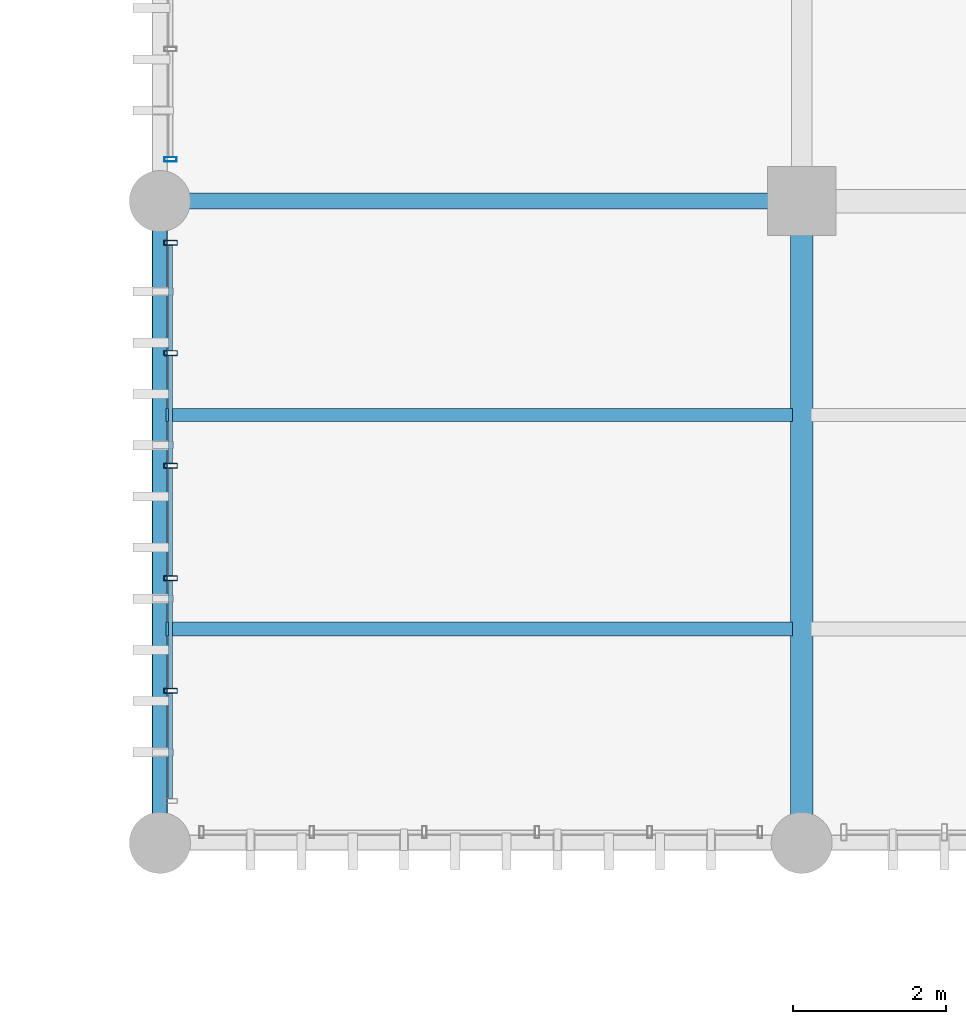
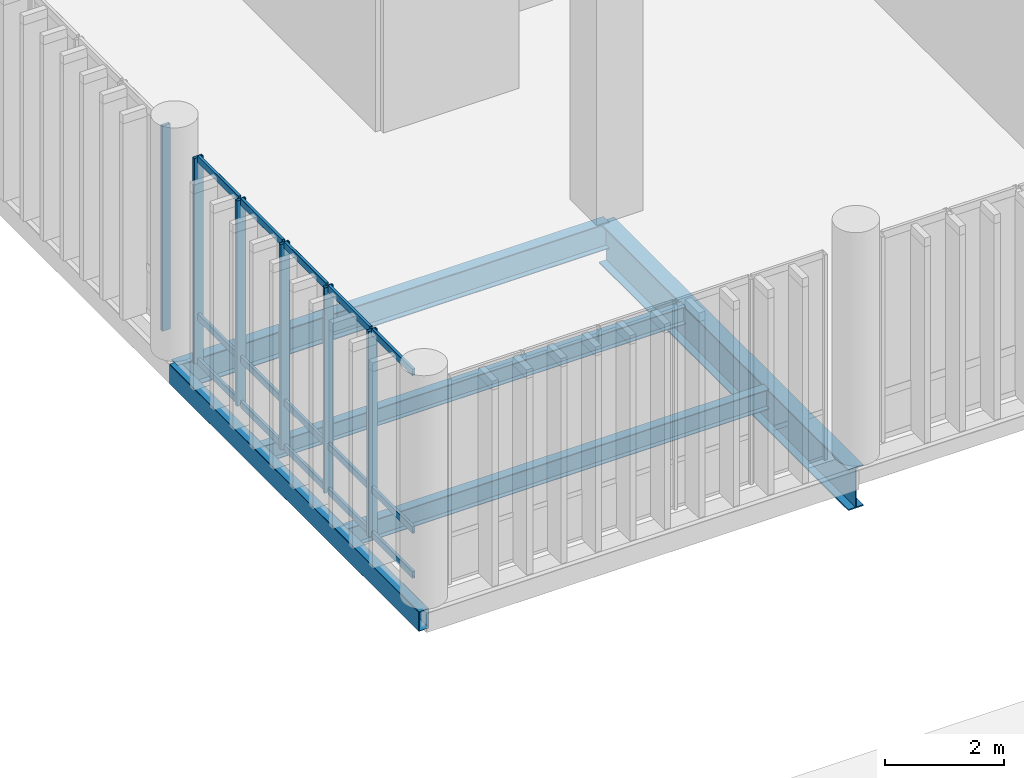
# One storey, part 69 of 109: 21 members, 5 beams, 2 elements without a shape of their own.
"""IFC4 building model written with IfcOpenShell, lengths in metres."""

import ifcopenshell
import ifcopenshell.guid

model = None  # the IFC model being written
_history = None  # IfcOwnerHistory: only IFC2X3 demands one
_inside = {}  # id of a spatial element -> (the spatial element, [elements in it])
_under = {}  # id of a project, library or spatial element -> (it, [spatial elements below it])
_declared = {}  # id of a project -> (the project, [libraries it declares])
_typed = {}  # id of a type object -> (the type object, [elements of that type])
_made_of = {}  # id of a material, layer set ... -> (it, [elements and type objects made of it])


def new_model(schema):
    """Start an empty IFC model of exactly this schema.

    Asked for "IFC4X3", IfcOpenShell would pick the latest addendum, in which some entities
    have other attributes; the version numbers below select the first issue.
    IFC2X3 requires an IfcOwnerHistory on every rooted entity: one is made here for all.
    """
    global model, _history
    if schema == "IFC4X3":
        model = ifcopenshell.file(schema_version=(4, 3, 0, 0))
    else:
        model = ifcopenshell.file(schema=schema)
    _inside.clear()
    _under.clear()
    _declared.clear()
    _typed.clear()
    _made_of.clear()
    _history = None
    if model.schema == "IFC2X3":
        org = make("IfcOrganization", Name="unknown")
        user = make(
            "IfcPersonAndOrganization",
            ThePerson=make("IfcPerson", FamilyName="unknown"),
            TheOrganization=org,
        )
        app = make(
            "IfcApplication",
            ApplicationDeveloper=org,
            Version="unknown",
            ApplicationFullName="unknown",
            ApplicationIdentifier="unknown",
        )
        _history = make(
            "IfcOwnerHistory",
            OwningUser=user,
            OwningApplication=app,
            ChangeAction="ADDED",
            CreationDate=0,
        )
    return model


def make(cls, **values):
    """One entity of the class cls with the attributes given. An attribute that is None is left unset."""
    return model.create_entity(
        cls, **{name: value for name, value in values.items() if value is not None}
    )


def rooted(cls, **values):
    """An entity with a GlobalId (a new one), such as an element, a storey or a relation."""
    return make(cls, GlobalId=ifcopenshell.guid.new(), OwnerHistory=_history, **values)


def si_unit(unit_type, name, prefix=None):
    """IfcSIUnit, for example si_unit("LENGTHUNIT", "METRE", prefix="MILLI")."""
    return make("IfcSIUnit", UnitType=unit_type, Prefix=prefix, Name=name)


def assignment(units):
    """IfcUnitAssignment: the units of a project."""
    return None if units is None else make("IfcUnitAssignment", Units=units)


def point(xyz):
    """IfcCartesianPoint."""
    return None if xyz is None else make("IfcCartesianPoint", Coordinates=xyz)


def direction(xyz):
    """IfcDirection."""
    return None if xyz is None else make("IfcDirection", DirectionRatios=xyz)


def frame(location, z_axis=None, x_axis=None):
    """IfcAxis2Placement3D, a coordinate frame: its origin and axes. An axis left out is left unset."""
    return make(
        "IfcAxis2Placement3D",
        Location=point(location),
        Axis=direction(z_axis),
        RefDirection=direction(x_axis),
    )


def frame_2d(location, x_axis=None):
    """IfcAxis2Placement2D, a coordinate frame in the plane: its origin and x axis."""
    return make(
        "IfcAxis2Placement2D", Location=point(location), RefDirection=direction(x_axis)
    )


def origin_with_axes():
    """The frame at (0, 0, 0) with the z axis (0, 0, 1) and the x axis (1, 0, 0) written out."""
    return frame((0.0, 0.0, 0.0), z_axis=(0.0, 0.0, 1.0), x_axis=(1.0, 0.0, 0.0))


def origin_2d_with_axis():
    """The frame at (0, 0) in the plane with the x axis (1, 0) written out."""
    return frame_2d((0.0, 0.0), x_axis=(1.0, 0.0))


def place(relative_to, where):
    """IfcLocalPlacement: puts the frame where relative to a parent placement (None: the world)."""
    return make(
        "IfcLocalPlacement", PlacementRelTo=relative_to, RelativePlacement=where
    )


def context(
    kind, dimensions, precision=None, world=None, true_north=None, identifier=None
):
    """IfcGeometricRepresentationContext, for example the 3D "Model" context."""
    return make(
        "IfcGeometricRepresentationContext",
        ContextIdentifier=identifier,
        ContextType=kind,
        CoordinateSpaceDimension=dimensions,
        Precision=precision,
        WorldCoordinateSystem=world,
        TrueNorth=true_north,
    )


def subcontext(parent, identifier, kind, view, scale=None):
    """IfcGeometricRepresentationSubContext, for example "Body" below "Model"."""
    return make(
        "IfcGeometricRepresentationSubContext",
        ContextIdentifier=identifier,
        ContextType=kind,
        ParentContext=parent,
        TargetScale=scale,
        TargetView=view,
    )


def project(units=None, contexts=None):
    """IfcProject with its units and contexts."""
    return rooted(
        "IfcProject",
        Name="project",
        RepresentationContexts=contexts,
        UnitsInContext=assignment(units),
    )


def spatial(cls, under=None, at=None, **own):
    """A site, building, storey or space (cls), placed at a placement, below another one or the project."""
    s = rooted(cls, ObjectPlacement=at, **own)
    if under is not None:
        _under.setdefault(under.id(), (under, []))[1].append(s)
    return s


def profile(cls, at=None, kind="AREA", **sizes):
    """A parametric profile (cls). Its sizes go by their IFC names, for example OverallWidth=200.0."""
    return make(cls, ProfileType=kind, Position=at, **sizes)


def hollow_rectangle(**sizes):
    """IfcRectangleHollowProfileDef."""
    return profile("IfcRectangleHollowProfileDef", **sizes)


def i_section(**sizes):
    """IfcIShapeProfileDef."""
    return profile("IfcIShapeProfileDef", **sizes)


def extrude(swept, where, along, depth):
    """IfcExtrudedAreaSolid: the profile swept, set in the frame where, extruded along a direction by depth."""
    return make(
        "IfcExtrudedAreaSolid",
        SweptArea=swept,
        Position=where,
        ExtrudedDirection=direction(along),
        Depth=depth,
    )


def shape(context_of_items, identifier, shape_type, items):
    """IfcShapeRepresentation: the items that make up one representation, for example the "Body"."""
    return make(
        "IfcShapeRepresentation",
        ContextOfItems=context_of_items,
        RepresentationIdentifier=identifier,
        RepresentationType=shape_type,
        Items=items,
    )


def material(Name=None, Category=None):
    """IfcMaterial."""
    return make("IfcMaterial", Name=Name, Category=Category)


def material_profile(
    of_material, cross_section, Name=None, Category=None, Priority=None
):
    """IfcMaterialProfile: a cross section and its material."""
    return make(
        "IfcMaterialProfile",
        Name=Name,
        Material=of_material,
        Profile=cross_section,
        Priority=Priority,
        Category=Category,
    )


def profile_set(profiles, Name=None, composite=None):
    """IfcMaterialProfileSet."""
    return make(
        "IfcMaterialProfileSet",
        Name=Name,
        MaterialProfiles=profiles,
        CompositeProfile=composite,
    )


def made_of(thing, what):
    """Note that an element or type object is made of a material, layer set ...; save() writes the relation."""
    if what is not None:
        _made_of.setdefault(what.id(), (what, []))[1].append(thing)
    return thing


def type_object(cls, material=None, **own):
    """A type object (cls), such as IfcWallType, which elements share."""
    return made_of(rooted(cls, **own), material)


def element(
    cls,
    number,
    at=None,
    inside=None,
    cuts=None,
    type_object=None,
    material=None,
    context=None,
    identifier="Body",
    shape_type=None,
    held_by="IfcProductDefinitionShape",
    body=None,
    shapes=None,
    **own,
):
    """One element of the class cls, such as IfcWall. Its Tag is "e" and its number.

    at: its placement. inside: the storey or other place that contains it. cuts: it is an
    opening in that element (IfcRelVoidsElement). A single representation is given by context,
    identifier, shape_type and body (its items); several are given by shapes. held_by: the class
    of the entity that holds the representations. save() writes the other relations.
    """
    e = rooted(cls, Tag="e%d" % number, ObjectPlacement=at, **own)
    if body is not None:
        shapes = [shape(context, identifier, shape_type, body)]
    if shapes is not None:
        e.Representation = make(held_by, Representations=shapes)
    if inside is not None:
        _inside.setdefault(inside.id(), (inside, []))[1].append(e)
    if cuts is not None:
        rooted(
            "IfcRelVoidsElement", RelatingBuildingElement=cuts, RelatedOpeningElement=e
        )
    if type_object is not None:
        _typed.setdefault(type_object.id(), (type_object, []))[1].append(e)
    return made_of(e, material)


def aggregate(whole, parts):
    """IfcRelAggregates: a whole, such as a stair, and the parts it consists of."""
    return rooted("IfcRelAggregates", RelatingObject=whole, RelatedObjects=parts)


def save(model, path):
    """Write the relations noted so far, then the file.

    IfcRelAggregates (storeys below a building ...), IfcRelContainedInSpatialStructure (elements
    in a storey), IfcRelDefinesByType, IfcRelAssociatesMaterial and IfcRelDeclares: one each for
    every whole, place, type object, material and project.
    """
    for whole, parts in _under.values():
        aggregate(whole, parts)
    for where, things in _inside.values():
        rooted(
            "IfcRelContainedInSpatialStructure",
            RelatedElements=things,
            RelatingStructure=where,
        )
    for kind, things in _typed.values():
        rooted("IfcRelDefinesByType", RelatedObjects=things, RelatingType=kind)
    for what, things in _made_of.values():
        rooted("IfcRelAssociatesMaterial", RelatedObjects=things, RelatingMaterial=what)
    for by, libraries in _declared.values():
        rooted("IfcRelDeclares", RelatingContext=by, RelatedDefinitions=libraries)
    model.write(path)


model = new_model("IFC4")

# Units and contexts
model_context = context("Model", 3, precision=1e-05, world=origin_with_axes(), true_north=direction((0.0, 1.0)))
body_context = subcontext(model_context, "Body", "Model", "MODEL_VIEW")
ifc_project = project(units=[si_unit("LENGTHUNIT", "METRE"), si_unit("AREAUNIT", "SQUARE_METRE"), si_unit("VOLUMEUNIT", "CUBIC_METRE"), si_unit("PLANEANGLEUNIT", "RADIAN"), si_unit("MASSUNIT", "GRAM", prefix="KILO"), si_unit("THERMODYNAMICTEMPERATUREUNIT", "KELVIN")], contexts=[model_context])

# Site, building, storey
site_placement = place(None, origin_with_axes())
site = spatial("IfcSite", under=ifc_project, at=site_placement, CompositionType="ELEMENT")
building_placement = place(site_placement, origin_with_axes())
building = spatial("IfcBuilding", under=site, at=building_placement, Name="Montbau Bow Law Courts", CompositionType="ELEMENT")
storey_placement = place(building_placement, frame((0.0, 0.0, 10.8), z_axis=(0.0, 0.0, 1.0), x_axis=(1.0, 0.0, 0.0)))
storey = spatial("IfcBuildingStorey", under=building, at=storey_placement, Name="L02", CompositionType="ELEMENT", Elevation=10.8)

# Beams
ifc_material_1 = material(Name="Steel CSA G40.21 Grade 350W (350 MPa)", Category="steel")
ifc_material_profile_1 = material_profile(ifc_material_1, i_section(OverallWidth=0.293, OverallDepth=0.846, WebThickness=0.0154, FlangeThickness=0.0244, at=origin_2d_with_axis()), Name="W840X210", Category="Main", Priority=0)
ifc_profile_set_1 = profile_set([ifc_material_profile_1], Name="Steel CSA G40.21 Grade 350W (350 MPa)")
beam_type_1 = type_object("IfcBeamType", Name="B-FLR-02", PredefinedType="BEAM", material=ifc_profile_set_1)
beam_1_placement = place(None, frame((147.0, 69.6, 10.077), z_axis=(0.0, 1.0, 0.0), x_axis=(-1.0, 0.0, 0.0)))
element("IfcBeam", 1, at=beam_1_placement, inside=storey, type_object=beam_type_1, Name="BM-L02-S1189:bm2_1192", PredefinedType="BEAM", context=body_context, shape_type="SweptSolid", body=[
    extrude(i_section(OverallWidth=0.293, OverallDepth=0.846, WebThickness=0.0154, FlangeThickness=0.0244, at=origin_2d_with_axis()), origin_with_axes(), (0.0, 0.0, 1.0), 8.4),
])
ifc_material_profile_2 = material_profile(ifc_material_1, i_section(OverallWidth=0.21, OverallDepth=0.537, WebThickness=0.0109, FlangeThickness=0.0174, at=origin_2d_with_axis()), Name="W530X101", Category="Main", Priority=0)
ifc_profile_set_2 = profile_set([ifc_material_profile_2], Name="Steel CSA G40.21 Grade 350W (350 MPa)")
beam_type_2 = type_object("IfcBeamType", Name="B-FLR-06", PredefinedType="BEAM", material=ifc_profile_set_2)
beam_2_placement = place(None, frame((138.6, 78.0, 10.232), z_axis=(1.0, 0.0, 0.0), x_axis=(0.0, 1.0, 0.0)))
element("IfcBeam", 2, at=beam_2_placement, inside=storey, type_object=beam_type_2, Name="BM-L02-S1169:bm2_1172", PredefinedType="BEAM", context=body_context, shape_type="SweptSolid", body=[
    extrude(i_section(OverallWidth=0.21, OverallDepth=0.537, WebThickness=0.0109, FlangeThickness=0.0174, at=origin_2d_with_axis()), origin_with_axes(), (0.0, 0.0, 1.0), 8.4),
])
ifc_material_profile_3 = material_profile(ifc_material_1, i_section(OverallWidth=0.179, OverallDepth=0.41, WebThickness=0.0088, FlangeThickness=0.0144, at=origin_2d_with_axis()), Name="W410X67", Category="Main", Priority=0)
ifc_profile_set_3 = profile_set([ifc_material_profile_3], Name="Steel CSA G40.21 Grade 350W (350 MPa)")
beam_type_3 = type_object("IfcBeamType", Name="B-JST-02", PredefinedType="JOIST", material=ifc_profile_set_3)
beam_3_placement = place(None, frame((138.68, 72.4, 10.295), z_axis=(1.0, 0.0, 0.0), x_axis=(0.0, 1.0, 0.0)))
element("IfcBeam", 3, at=beam_3_placement, inside=storey, type_object=beam_type_3, Name="JST-L02-S0609:jst2_0609", PredefinedType="JOIST", context=body_context, shape_type="SweptSolid", body=[
    extrude(i_section(OverallWidth=0.179, OverallDepth=0.41, WebThickness=0.0088, FlangeThickness=0.0144, at=origin_2d_with_axis()), origin_with_axes(), (0.0, 0.0, 1.0), 8.197),
])
ifc_material_profile_4 = material_profile(ifc_material_1, i_section(OverallWidth=0.172, OverallDepth=0.358, WebThickness=0.0079, FlangeThickness=0.0131, at=origin_2d_with_axis()), Name="W360X57", Category="Main", Priority=0)
ifc_profile_set_4 = profile_set([ifc_material_profile_4], Name="Steel CSA G40.21 Grade 350W (350 MPa)")
beam_type_4 = type_object("IfcBeamType", Name="B-JST-03", PredefinedType="JOIST", material=ifc_profile_set_4)
beam_4_placement = place(None, frame((138.68, 75.2, 10.321), z_axis=(1.0, 0.0, 0.0), x_axis=(0.0, 1.0, 0.0)))
element("IfcBeam", 4, at=beam_4_placement, inside=storey, type_object=beam_type_4, Name="JST-L02-S0610:jst2_0610", PredefinedType="JOIST", context=body_context, shape_type="SweptSolid", body=[
    extrude(i_section(OverallWidth=0.172, OverallDepth=0.358, WebThickness=0.0079, FlangeThickness=0.0131, at=origin_2d_with_axis()), origin_with_axes(), (0.0, 0.0, 1.0), 8.197),
])
ifc_material_2 = material(Name="Steel CSA G40.21 Grade 350WT (350 MPa)", Category="steel")
ifc_material_profile_5 = material_profile(ifc_material_2, hollow_rectangle(XDim=0.203, YDim=0.406, WallThickness=0.0127, InnerFilletRadius=0.0254, OuterFilletRadius=0.0127, at=origin_2d_with_axis()), Name="HSS406X203X13", Category="Main", Priority=0)
ifc_profile_set_5 = profile_set([ifc_material_profile_5], Name="Steel CSA G40.21 Grade 350WT (350 MPa)")
beam_type_5 = type_object("IfcBeamType", Name="B-SPN-01", PredefinedType="SPANDREL", material=ifc_profile_set_5)
beam_5_placement = place(None, frame((138.6, 69.6, 10.297), z_axis=(0.0, 1.0, 0.0), x_axis=(-1.0, 0.0, 0.0)))
element("IfcBeam", 5, at=beam_5_placement, inside=storey, type_object=beam_type_5, Name="SPN-L02-S1185:bm2_1188", PredefinedType="SPANDREL", context=body_context, shape_type="SweptSolid", body=[
    extrude(hollow_rectangle(XDim=0.203, YDim=0.406, WallThickness=0.0127, InnerFilletRadius=0.0254, OuterFilletRadius=0.0127, at=origin_2d_with_axis()), origin_with_axes(), (0.0, 0.0, 1.0), 8.4),
])

# Curtain wall, members
ifc_material_3 = material(Name="Thermally Broken Extruded Aluminium AA 6063-T6", Category="aluminium")
curtain_wall_type = type_object("IfcCurtainWallType", Name="CW-SLT-01", PredefinedType="NOTDEFINED", material=ifc_material_3)
curtain_wall_1_placement = place(None, frame((138.74, 70.115, 10.8), z_axis=(0.0, 0.0, 1.0), x_axis=(1.0, 0.0, 0.0)))
curtain_wall_1 = element("IfcCurtainWall", 6, at=curtain_wall_1_placement, inside=storey, type_object=curtain_wall_type, Name="CW-L02-301:cw_0301", PredefinedType="NOTDEFINED")
ifc_material_profile_6 = material_profile(ifc_material_3, hollow_rectangle(XDim=0.065, YDim=0.18, WallThickness=0.005, InnerFilletRadius=0.01, OuterFilletRadius=0.005, at=origin_2d_with_axis()), Name="CWM-180X65", Category="Main", Priority=0)
ifc_profile_set_6 = profile_set([ifc_material_profile_6], Name="Thermally Broken Extruded Aluminium AA 6063-T6")
member_type_1 = type_object("IfcMemberType", Name="M-MUL-02", PredefinedType="MULLION", material=ifc_profile_set_6)
member_1_placement = place(None, frame((138.74, 71.589, 10.8), z_axis=(0.0, 0.0, 1.0), x_axis=(0.0, 1.0, 0.0)))
member_1 = element("IfcMember", 7, at=member_1_placement, type_object=member_type_1, Name="CW-L02-301-M02:cw_0301_M02", PredefinedType="MULLION", context=body_context, shape_type="SweptSolid", body=[
    extrude(hollow_rectangle(XDim=0.065, YDim=0.18, WallThickness=0.005, InnerFilletRadius=0.01, OuterFilletRadius=0.005, at=origin_2d_with_axis()), origin_with_axes(), (0.0, 0.0, 1.0), 4.22),
])
member_2_placement = place(None, frame((138.74, 73.063, 10.8), z_axis=(0.0, 0.0, 1.0), x_axis=(0.0, 1.0, 0.0)))
member_2 = element("IfcMember", 8, at=member_2_placement, type_object=member_type_1, Name="CW-L02-301-M03:cw_0301_M03", PredefinedType="MULLION", context=body_context, shape_type="SweptSolid", body=[
    extrude(hollow_rectangle(XDim=0.065, YDim=0.18, WallThickness=0.005, InnerFilletRadius=0.01, OuterFilletRadius=0.005, at=origin_2d_with_axis()), origin_with_axes(), (0.0, 0.0, 1.0), 4.22),
])
member_3_placement = place(None, frame((138.74, 74.537, 10.8), z_axis=(0.0, 0.0, 1.0), x_axis=(0.0, 1.0, 0.0)))
member_3 = element("IfcMember", 9, at=member_3_placement, type_object=member_type_1, Name="CW-L02-301-M04:cw_0301_M04", PredefinedType="MULLION", context=body_context, shape_type="SweptSolid", body=[
    extrude(hollow_rectangle(XDim=0.065, YDim=0.18, WallThickness=0.005, InnerFilletRadius=0.01, OuterFilletRadius=0.005, at=origin_2d_with_axis()), origin_with_axes(), (0.0, 0.0, 1.0), 4.22),
])
member_4_placement = place(None, frame((138.74, 76.011, 10.8), z_axis=(0.0, 0.0, 1.0), x_axis=(0.0, 1.0, 0.0)))
member_4 = element("IfcMember", 10, at=member_4_placement, type_object=member_type_1, Name="CW-L02-301-M05:cw_0301_M05", PredefinedType="MULLION", context=body_context, shape_type="SweptSolid", body=[
    extrude(hollow_rectangle(XDim=0.065, YDim=0.18, WallThickness=0.005, InnerFilletRadius=0.01, OuterFilletRadius=0.005, at=origin_2d_with_axis()), origin_with_axes(), (0.0, 0.0, 1.0), 4.22),
])
member_5_placement = place(None, frame((138.74, 77.453, 10.8), z_axis=(0.0, 0.0, 1.0), x_axis=(0.0, 1.0, 0.0)))
member_5 = element("IfcMember", 11, at=member_5_placement, type_object=member_type_1, Name="CW-L02-301-M06:cw_0301_M06", PredefinedType="MULLION", context=body_context, shape_type="SweptSolid", body=[
    extrude(hollow_rectangle(XDim=0.065, YDim=0.18, WallThickness=0.005, InnerFilletRadius=0.01, OuterFilletRadius=0.005, at=origin_2d_with_axis()), origin_with_axes(), (0.0, 0.0, 1.0), 4.22),
])

# Curtain wall, member
curtain_wall_2_placement = place(None, frame((138.74, 78.515, 10.8), z_axis=(0.0, 0.0, 1.0), x_axis=(1.0, 0.0, 0.0)))
curtain_wall_2 = element("IfcCurtainWall", 12, at=curtain_wall_2_placement, inside=storey, type_object=curtain_wall_type, Name="CW-L02-302:cw_0302", PredefinedType="NOTDEFINED")
ifc_material_profile_7 = material_profile(ifc_material_3, hollow_rectangle(XDim=0.06, YDim=0.16, WallThickness=0.004, InnerFilletRadius=0.008, OuterFilletRadius=0.004, at=origin_2d_with_axis()), Name="CWM-160X60", Category="Main", Priority=0)
ifc_profile_set_7 = profile_set([ifc_material_profile_7], Name="Thermally Broken Extruded Aluminium AA 6063-T6")
member_type_2 = type_object("IfcMemberType", Name="M-MUL-03", PredefinedType="MULLION", material=ifc_profile_set_7)
member_6_placement = place(None, frame((138.74, 78.545, 10.8), z_axis=(0.0, 0.0, 1.0), x_axis=(0.0, 1.0, 0.0)))
member_6 = element("IfcMember", 13, at=member_6_placement, type_object=member_type_2, Name="CW-L02-302-M01:cw_0302_M01", PredefinedType="MULLION", context=body_context, shape_type="SweptSolid", body=[
    extrude(hollow_rectangle(XDim=0.06, YDim=0.16, WallThickness=0.004, InnerFilletRadius=0.008, OuterFilletRadius=0.004, at=origin_2d_with_axis()), origin_with_axes(), (0.0, 0.0, 1.0), 4.22),
])
aggregate(curtain_wall_2, [member_6])

# Member
ifc_material_profile_8 = material_profile(ifc_material_3, hollow_rectangle(XDim=0.055, YDim=0.14, WallThickness=0.004, InnerFilletRadius=0.008, OuterFilletRadius=0.004, at=origin_2d_with_axis()), Name="CWT-140X55", Category="Main", Priority=0)
ifc_profile_set_8 = profile_set([ifc_material_profile_8], Name="Thermally Broken Extruded Aluminium AA 6063-T6")
member_type_3 = type_object("IfcMemberType", Name="M-TRN-02", PredefinedType="USERDEFINED", material=ifc_profile_set_8)
member_7_placement = place(None, frame((138.74, 70.183, 10.828), z_axis=(0.0, 1.0, 0.0), x_axis=(-1.0, 0.0, 0.0)))
member_7 = element("IfcMember", 14, at=member_7_placement, type_object=member_type_3, Name="CW-L02-301-T01-1:cw_0301_T01_1", ObjectType="TRANSOM", PredefinedType="USERDEFINED", context=body_context, shape_type="SweptSolid", body=[
    extrude(hollow_rectangle(XDim=0.055, YDim=0.14, WallThickness=0.004, InnerFilletRadius=0.008, OuterFilletRadius=0.004, at=origin_2d_with_axis()), origin_with_axes(), (0.0, 0.0, 1.0), 1.372),
])

member_8_placement = place(None, frame((138.74, 70.183, 11.75), z_axis=(0.0, 1.0, 0.0), x_axis=(-1.0, 0.0, 0.0)))
member_8 = element("IfcMember", 15, at=member_8_placement, type_object=member_type_3, Name="CW-L02-301-T01-2:cw_0301_T01_2", ObjectType="TRANSOM", PredefinedType="USERDEFINED", context=body_context, shape_type="SweptSolid", body=[
    extrude(hollow_rectangle(XDim=0.055, YDim=0.14, WallThickness=0.004, InnerFilletRadius=0.008, OuterFilletRadius=0.004, at=origin_2d_with_axis()), origin_with_axes(), (0.0, 0.0, 1.0), 1.372),
])

member_9_placement = place(None, frame((138.74, 70.183, 14.992), z_axis=(0.0, 1.0, 0.0), x_axis=(-1.0, 0.0, 0.0)))
member_9 = element("IfcMember", 16, at=member_9_placement, type_object=member_type_3, Name="CW-L02-301-T01-3:cw_0301_T01_3", ObjectType="TRANSOM", PredefinedType="USERDEFINED", context=body_context, shape_type="SweptSolid", body=[
    extrude(hollow_rectangle(XDim=0.055, YDim=0.14, WallThickness=0.004, InnerFilletRadius=0.008, OuterFilletRadius=0.004, at=origin_2d_with_axis()), origin_with_axes(), (0.0, 0.0, 1.0), 1.372),
])

member_10_placement = place(None, frame((138.74, 71.623, 10.828), z_axis=(0.0, 1.0, 0.0), x_axis=(-1.0, 0.0, 0.0)))
member_10 = element("IfcMember", 17, at=member_10_placement, type_object=member_type_3, Name="CW-L02-301-T02-1:cw_0301_T02_1", ObjectType="TRANSOM", PredefinedType="USERDEFINED", context=body_context, shape_type="SweptSolid", body=[
    extrude(hollow_rectangle(XDim=0.055, YDim=0.14, WallThickness=0.004, InnerFilletRadius=0.008, OuterFilletRadius=0.004, at=origin_2d_with_axis()), origin_with_axes(), (0.0, 0.0, 1.0), 1.405),
])

member_11_placement = place(None, frame((138.74, 71.623, 11.75), z_axis=(0.0, 1.0, 0.0), x_axis=(-1.0, 0.0, 0.0)))
member_11 = element("IfcMember", 18, at=member_11_placement, type_object=member_type_3, Name="CW-L02-301-T02-2:cw_0301_T02_2", ObjectType="TRANSOM", PredefinedType="USERDEFINED", context=body_context, shape_type="SweptSolid", body=[
    extrude(hollow_rectangle(XDim=0.055, YDim=0.14, WallThickness=0.004, InnerFilletRadius=0.008, OuterFilletRadius=0.004, at=origin_2d_with_axis()), origin_with_axes(), (0.0, 0.0, 1.0), 1.405),
])

member_12_placement = place(None, frame((138.74, 71.623, 14.992), z_axis=(0.0, 1.0, 0.0), x_axis=(-1.0, 0.0, 0.0)))
member_12 = element("IfcMember", 19, at=member_12_placement, type_object=member_type_3, Name="CW-L02-301-T02-3:cw_0301_T02_3", ObjectType="TRANSOM", PredefinedType="USERDEFINED", context=body_context, shape_type="SweptSolid", body=[
    extrude(hollow_rectangle(XDim=0.055, YDim=0.14, WallThickness=0.004, InnerFilletRadius=0.008, OuterFilletRadius=0.004, at=origin_2d_with_axis()), origin_with_axes(), (0.0, 0.0, 1.0), 1.405),
])

member_13_placement = place(None, frame((138.74, 73.097, 10.828), z_axis=(0.0, 1.0, 0.0), x_axis=(-1.0, 0.0, 0.0)))
member_13 = element("IfcMember", 20, at=member_13_placement, type_object=member_type_3, Name="CW-L02-301-T03-1:cw_0301_T03_1", ObjectType="TRANSOM", PredefinedType="USERDEFINED", context=body_context, shape_type="SweptSolid", body=[
    extrude(hollow_rectangle(XDim=0.055, YDim=0.14, WallThickness=0.004, InnerFilletRadius=0.008, OuterFilletRadius=0.004, at=origin_2d_with_axis()), origin_with_axes(), (0.0, 0.0, 1.0), 1.406),
])

member_14_placement = place(None, frame((138.74, 73.097, 11.75), z_axis=(0.0, 1.0, 0.0), x_axis=(-1.0, 0.0, 0.0)))
member_14 = element("IfcMember", 21, at=member_14_placement, type_object=member_type_3, Name="CW-L02-301-T03-2:cw_0301_T03_2", ObjectType="TRANSOM", PredefinedType="USERDEFINED", context=body_context, shape_type="SweptSolid", body=[
    extrude(hollow_rectangle(XDim=0.055, YDim=0.14, WallThickness=0.004, InnerFilletRadius=0.008, OuterFilletRadius=0.004, at=origin_2d_with_axis()), origin_with_axes(), (0.0, 0.0, 1.0), 1.406),
])

member_15_placement = place(None, frame((138.74, 73.097, 14.992), z_axis=(0.0, 1.0, 0.0), x_axis=(-1.0, 0.0, 0.0)))
member_15 = element("IfcMember", 22, at=member_15_placement, type_object=member_type_3, Name="CW-L02-301-T03-3:cw_0301_T03_3", ObjectType="TRANSOM", PredefinedType="USERDEFINED", context=body_context, shape_type="SweptSolid", body=[
    extrude(hollow_rectangle(XDim=0.055, YDim=0.14, WallThickness=0.004, InnerFilletRadius=0.008, OuterFilletRadius=0.004, at=origin_2d_with_axis()), origin_with_axes(), (0.0, 0.0, 1.0), 1.406),
])

member_16_placement = place(None, frame((138.74, 74.571, 10.828), z_axis=(0.0, 1.0, 0.0), x_axis=(-1.0, 0.0, 0.0)))
member_16 = element("IfcMember", 23, at=member_16_placement, type_object=member_type_3, Name="CW-L02-301-T04-1:cw_0301_T04_1", ObjectType="TRANSOM", PredefinedType="USERDEFINED", context=body_context, shape_type="SweptSolid", body=[
    extrude(hollow_rectangle(XDim=0.055, YDim=0.14, WallThickness=0.004, InnerFilletRadius=0.008, OuterFilletRadius=0.004, at=origin_2d_with_axis()), origin_with_axes(), (0.0, 0.0, 1.0), 1.406),
])

member_17_placement = place(None, frame((138.74, 74.571, 11.75), z_axis=(0.0, 1.0, 0.0), x_axis=(-1.0, 0.0, 0.0)))
member_17 = element("IfcMember", 24, at=member_17_placement, type_object=member_type_3, Name="CW-L02-301-T04-2:cw_0301_T04_2", ObjectType="TRANSOM", PredefinedType="USERDEFINED", context=body_context, shape_type="SweptSolid", body=[
    extrude(hollow_rectangle(XDim=0.055, YDim=0.14, WallThickness=0.004, InnerFilletRadius=0.008, OuterFilletRadius=0.004, at=origin_2d_with_axis()), origin_with_axes(), (0.0, 0.0, 1.0), 1.406),
])

member_18_placement = place(None, frame((138.74, 74.571, 14.992), z_axis=(0.0, 1.0, 0.0), x_axis=(-1.0, 0.0, 0.0)))
member_18 = element("IfcMember", 25, at=member_18_placement, type_object=member_type_3, Name="CW-L02-301-T04-3:cw_0301_T04_3", ObjectType="TRANSOM", PredefinedType="USERDEFINED", context=body_context, shape_type="SweptSolid", body=[
    extrude(hollow_rectangle(XDim=0.055, YDim=0.14, WallThickness=0.004, InnerFilletRadius=0.008, OuterFilletRadius=0.004, at=origin_2d_with_axis()), origin_with_axes(), (0.0, 0.0, 1.0), 1.406),
])

member_19_placement = place(None, frame((138.74, 76.045, 10.828), z_axis=(0.0, 1.0, 0.0), x_axis=(-1.0, 0.0, 0.0)))
member_19 = element("IfcMember", 26, at=member_19_placement, type_object=member_type_3, Name="CW-L02-301-T05-1:cw_0301_T05_1", ObjectType="TRANSOM", PredefinedType="USERDEFINED", context=body_context, shape_type="SweptSolid", body=[
    extrude(hollow_rectangle(XDim=0.055, YDim=0.14, WallThickness=0.004, InnerFilletRadius=0.008, OuterFilletRadius=0.004, at=origin_2d_with_axis()), origin_with_axes(), (0.0, 0.0, 1.0), 1.374),
])

member_20_placement = place(None, frame((138.74, 76.045, 11.75), z_axis=(0.0, 1.0, 0.0), x_axis=(-1.0, 0.0, 0.0)))
member_20 = element("IfcMember", 27, at=member_20_placement, type_object=member_type_3, Name="CW-L02-301-T05-2:cw_0301_T05_2", ObjectType="TRANSOM", PredefinedType="USERDEFINED", context=body_context, shape_type="SweptSolid", body=[
    extrude(hollow_rectangle(XDim=0.055, YDim=0.14, WallThickness=0.004, InnerFilletRadius=0.008, OuterFilletRadius=0.004, at=origin_2d_with_axis()), origin_with_axes(), (0.0, 0.0, 1.0), 1.374),
])

member_21_placement = place(None, frame((138.74, 76.045, 14.992), z_axis=(0.0, 1.0, 0.0), x_axis=(-1.0, 0.0, 0.0)))
member_21 = element("IfcMember", 28, at=member_21_placement, type_object=member_type_3, Name="CW-L02-301-T05-3:cw_0301_T05_3", ObjectType="TRANSOM", PredefinedType="USERDEFINED", context=body_context, shape_type="SweptSolid", body=[
    extrude(hollow_rectangle(XDim=0.055, YDim=0.14, WallThickness=0.004, InnerFilletRadius=0.008, OuterFilletRadius=0.004, at=origin_2d_with_axis()), origin_with_axes(), (0.0, 0.0, 1.0), 1.374),
])

aggregate(curtain_wall_1, [member_1, member_2, member_3, member_4, member_5, member_7, member_8, member_9, member_10, member_11, member_12, member_13, member_14, member_15, member_16, member_17, member_18, member_19, member_20, member_21])

save(model, "model.ifc")
